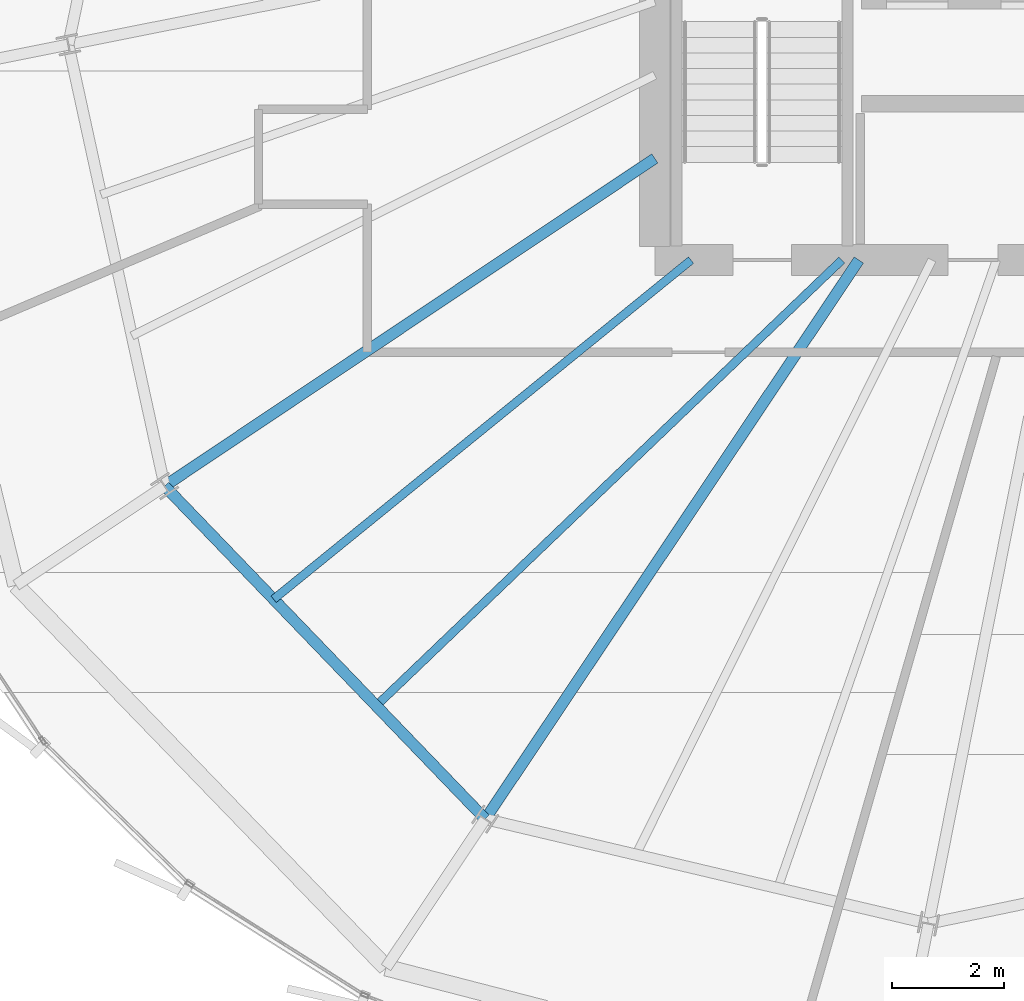
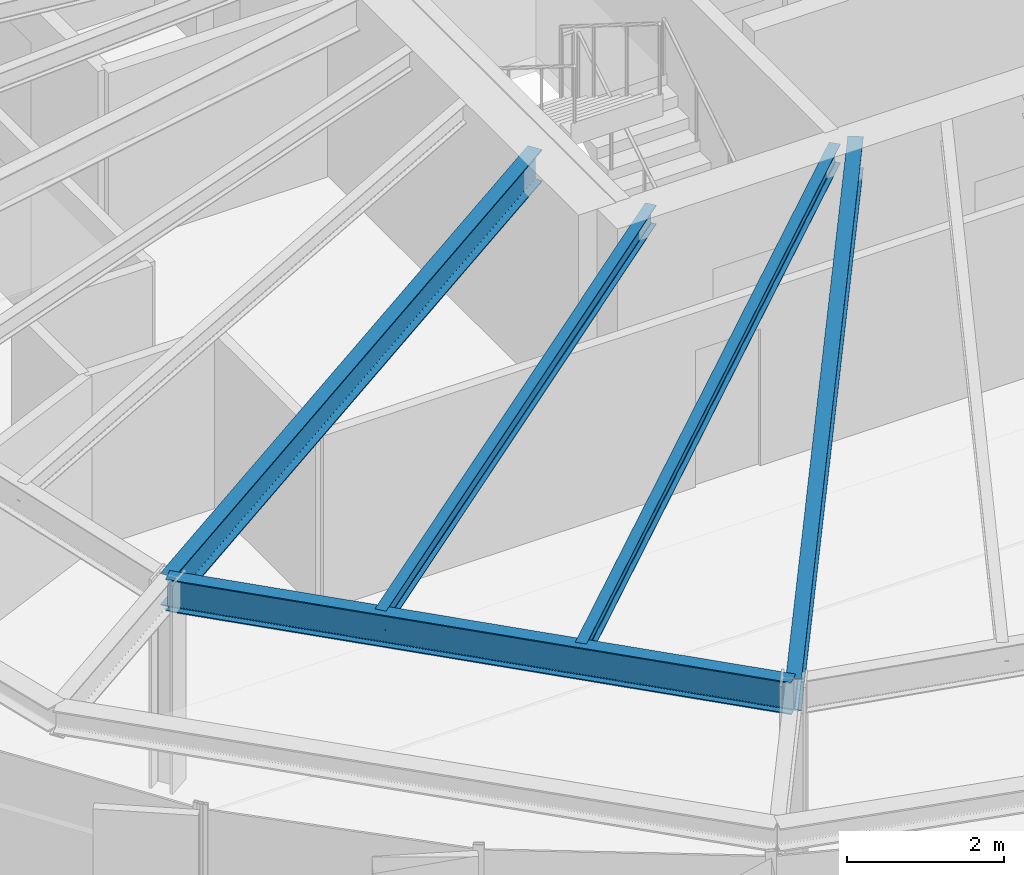
# One storey, part 5 of 35: 5 beams.
"""IFC4 building model written with IfcOpenShell, lengths in metres."""

from ifc_helpers import new_model, si_unit, direction, frame, origin, origin_2d, place, context, subcontext, project, spatial, i_section, extrude, source, transform, mapped, material, material_profile, profile_set, type_object, element, save


model = new_model("IFC4")

# Units and contexts
model_context = context("Model", 3, precision=1e-05, world=origin(), true_north=direction((0.0, 1.0)))
body_context = subcontext(model_context, "Body", "Model", "MODEL_VIEW")
ifc_project = project(units=[si_unit("LENGTHUNIT", "METRE"), si_unit("AREAUNIT", "SQUARE_METRE"), si_unit("VOLUMEUNIT", "CUBIC_METRE"), si_unit("PLANEANGLEUNIT", "RADIAN"), si_unit("MASSUNIT", "GRAM", prefix="KILO"), si_unit("THERMODYNAMICTEMPERATUREUNIT", "KELVIN")], contexts=[model_context])

# Site, building, storey
site_placement = place(None, origin())
site = spatial("IfcSite", under=ifc_project, at=site_placement, CompositionType="ELEMENT")
building_placement = place(site_placement, origin())
building = spatial("IfcBuilding", under=site, at=building_placement, Name="Kethvar Cultural Tower", CompositionType="ELEMENT")
storey_placement = place(building_placement, frame((0.0, 0.0, 193.89990234375)))
storey = spatial("IfcBuildingStorey", under=building, at=storey_placement, Name="L50", CompositionType="ELEMENT", Elevation=193.89990234375)

# Beams
ifc_material = material(Name="Steel S355J2", Category="steel")
ifc_material_profile_1 = material_profile(ifc_material, i_section(OverallWidth=0.199951171875, OverallDepth=0.5, WebThickness=0.01025390625, FlangeThickness=0.01611328125, FilletRadius=0.02099609375, at=origin_2d()), Name="Steel S355J2 — IPE500")
ifc_profile_set_1 = profile_set([ifc_material_profile_1], Name="Steel S355J2 — IPE500")
beam_type_1 = type_object("IfcBeamType", Name="BM-IPE500", PredefinedType="BEAM", material=ifc_profile_set_1)
shared_shape_1 = source(origin(), body_context, "Body", "SweptSolid", [
    extrude(i_section(OverallWidth=0.199951171875, OverallDepth=0.5, WebThickness=0.01025390625, FlangeThickness=0.01611328125, FilletRadius=0.02099609375, at=origin_2d()), origin(), (0.0, 0.0, 1.0), 10.562744140625),
])
beam_1_placement = place(storey_placement, frame((38.0, 21.920166015625, 3.008056640625), z_axis=(-0.831463100754, -0.555579978117, 0.0), x_axis=(0.555579978117, -0.831463100754, 0.0)))
element("IfcBeam", 1, at=beam_1_placement, inside=storey, type_object=beam_type_1, Name="L50 Primary Radial Beam RB-10", PredefinedType="BEAM", context=body_context, shape_type="MappedRepresentation", body=[
    mapped(shared_shape_1, transform((0.0, 0.0, 0.0), scale=1.0)),
])
shared_shape_2 = source(origin(), body_context, "Body", "SweptSolid", [
    extrude(i_section(OverallWidth=0.199951171875, OverallDepth=0.5, WebThickness=0.01025390625, FlangeThickness=0.01611328125, FilletRadius=0.02099609375, at=origin_2d()), origin(), (0.0, 0.0, 1.0), 12.0458984375),
])
beam_2_placement = place(storey_placement, frame((41.655029296875, 20.10009765625, 3.008056640625), z_axis=(-0.555569831996, -0.831469880258, 0.0), x_axis=(0.831469880258, -0.555569831996, 0.0)))
element("IfcBeam", 2, at=beam_2_placement, inside=storey, type_object=beam_type_1, Name="L50 Primary Radial Beam RB-11", PredefinedType="BEAM", context=body_context, shape_type="MappedRepresentation", body=[
    mapped(shared_shape_2, transform((0.0, 0.0, 0.0), scale=1.0)),
])
shared_shape_3 = source(origin(), body_context, "Body", "SweptSolid", [
    extrude(i_section(OverallWidth=0.199951171875, OverallDepth=0.5, WebThickness=0.01025390625, FlangeThickness=0.01611328125, FilletRadius=0.02099609375, at=origin_2d()), origin(), (0.0, 0.0, 1.0), 8.28369140625),
])
beam_3_placement = place(storey_placement, frame((29.217529296875, 16.0517578125, 3.008056640625), z_axis=(0.693554459208, -0.72040420051, 0.0), x_axis=(0.72040420051, 0.693554459208, 0.0)))
element("IfcBeam", 3, at=beam_3_placement, inside=storey, type_object=beam_type_1, Name="L50 Column Ring Tie Beam CR-10", PredefinedType="BEAM", context=body_context, shape_type="MappedRepresentation", body=[
    mapped(shared_shape_3, transform((0.0, 0.0, 0.0), scale=1.0)),
])
ifc_material_profile_2 = material_profile(ifc_material, i_section(OverallWidth=0.14990234375, OverallDepth=0.300048828125, WebThickness=0.007080078125, FlangeThickness=0.0107421875, FilletRadius=0.014892578125, at=origin_2d()), Name="Steel S355J2 — IPE300")
ifc_profile_set_2 = profile_set([ifc_material_profile_2], Name="Steel S355J2 — IPE300")
beam_type_2 = type_object("IfcBeamType", Name="BM-J300", PredefinedType="JOIST", material=ifc_profile_set_2)
shared_shape_4 = source(origin(), body_context, "Body", "SweptSolid", [
    extrude(i_section(OverallWidth=0.14990234375, OverallDepth=0.300048828125, WebThickness=0.007080078125, FlangeThickness=0.0107421875, FilletRadius=0.014892578125, at=origin_2d()), origin(), (0.0, 0.0, 1.0), 9.63671875),
])
beam_4_placement = place(storey_placement, frame((38.64990234375, 20.10009765625, 3.108154296875), z_axis=(-0.776090751649, -0.630621237515, 0.0), x_axis=(0.630621237515, -0.776090751649, 0.0)))
element("IfcBeam", 4, at=beam_4_placement, inside=storey, type_object=beam_type_2, Name="L50 Composite Floor Joist J-10A", PredefinedType="JOIST", context=body_context, shape_type="MappedRepresentation", body=[
    mapped(shared_shape_4, transform((0.0, 0.0, 0.0), scale=1.0)),
])
shared_shape_5 = source(origin(), body_context, "Body", "SweptSolid", [
    extrude(i_section(OverallWidth=0.14990234375, OverallDepth=0.300048828125, WebThickness=0.007080078125, FlangeThickness=0.0107421875, FilletRadius=0.014892578125, at=origin_2d()), origin(), (0.0, 0.0, 1.0), 11.548095703125),
])
beam_5_placement = place(storey_placement, frame((41.35009765625, 20.10009765625, 3.108154296875), z_axis=(-0.722268013472, -0.691613271067, 0.0), x_axis=(0.691613271067, -0.722268013472, 0.0)))
element("IfcBeam", 5, at=beam_5_placement, inside=storey, type_object=beam_type_2, Name="L50 Composite Floor Joist J-10B", PredefinedType="JOIST", context=body_context, shape_type="MappedRepresentation", body=[
    mapped(shared_shape_5, transform((0.0, 0.0, 0.0), scale=1.0)),
])

save(model, "model.ifc")
